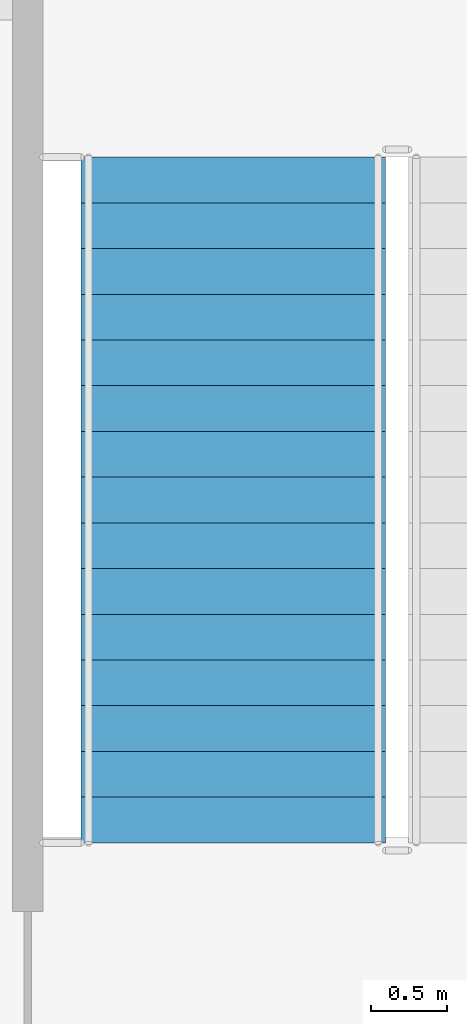
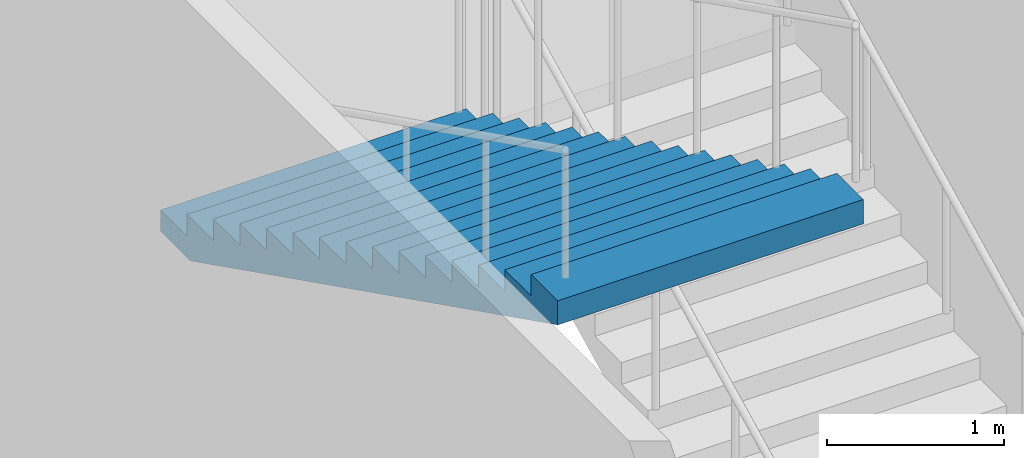
# One storey, part 62 of 91: 1 stair flight, 1 element without a shape of its own.
"""IFC4 building model written with IfcOpenShell, lengths in metres."""

from ifc_helpers import new_model, si_unit, direction, frame, origin, place, context, subcontext, project, spatial, faceted_brep, material, type_object, element, aggregate, save


model = new_model("IFC4")

# Units and contexts
model_context = context("Model", 3, precision=1e-05, world=origin(), true_north=direction((0.0, 1.0)))
body_context = subcontext(model_context, "Body", "Model", "MODEL_VIEW")
ifc_project = project(units=[si_unit("LENGTHUNIT", "METRE"), si_unit("AREAUNIT", "SQUARE_METRE"), si_unit("VOLUMEUNIT", "CUBIC_METRE"), si_unit("PLANEANGLEUNIT", "RADIAN"), si_unit("MASSUNIT", "GRAM", prefix="KILO")], contexts=[model_context])

# Site, building, storey
site_placement = place(None, origin())
site = spatial("IfcSite", under=ifc_project, at=site_placement, CompositionType="ELEMENT")
building_placement = place(site_placement, origin())
building = spatial("IfcBuilding", under=site, at=building_placement, Name="Kiln Court Media Centre", CompositionType="ELEMENT")
storey_placement = place(building_placement, frame((0.0, 0.0, 5.39990234375)))
storey = spatial("IfcBuildingStorey", under=building, at=storey_placement, Name="L01", CompositionType="ELEMENT", Elevation=5.39990234375)

# Stair, stair flight
ifc_material_1 = material(Name="Concrete C40/50", Category="concrete")
stair_type = type_object("IfcStairType", Name="Concrete C40/50 dog-leg stair 2000 wide, 150 riser", PredefinedType="HALF_TURN_STAIR", material=ifc_material_1)
stair_placement = place(storey_placement, origin())
stair = element("IfcStair", 1, at=stair_placement, inside=storey, type_object=stair_type, Name="ST-14 L01", PredefinedType="HALF_TURN_STAIR")
ifc_material_2 = material(Name="Concrete C40/50", Category="concrete")
stair_flight_type = type_object("IfcStairFlightType", Name="Concrete C40/50 stair flight 2000 wide, 150 riser, 300 going", PredefinedType="STRAIGHT", material=ifc_material_2)
stair_flight_placement = place(storey_placement, frame((164.64990234375, 40.89990234375, 2.400146484375), z_axis=(0.0, 0.0, 1.0), x_axis=(0.0, -1.0, 0.0)))
stair_flight = element("IfcStairFlight", 2, at=stair_flight_placement, type_object=stair_flight_type, Name="L01-ST-5013 flight 5027", NumberOfRisers=16, NumberOfTreads=15, PredefinedType="STRAIGHT", RiserHeight=0.15, TreadLength=0.3, context=body_context, shape_type="Brep", body=[
    faceted_brep([(0.335205078125, -1.0, 0.0), (4.5, -1.0, 2.08251953125), (4.5, -1.0, 2.25), (4.199951171875, -1.0, 2.25), (4.199951171875, -1.0, 2.10009765625), (3.89990234375, -1.0, 2.10009765625), (3.89990234375, -1.0, 1.949951171875), (3.60009765625, -1.0, 1.949951171875), (3.60009765625, -1.0, 1.800048828125), (3.300048828125, -1.0, 1.800048828125), (3.300048828125, -1.0, 1.64990234375), (3.0, -1.0, 1.64990234375), (3.0, -1.0, 1.5), (2.699951171875, -1.0, 1.5), (2.699951171875, -1.0, 1.35009765625), (2.39990234375, -1.0, 1.35009765625), (2.39990234375, -1.0, 1.199951171875), (2.10009765625, -1.0, 1.199951171875), (2.10009765625, -1.0, 1.050048828125), (1.800048828125, -1.0, 1.050048828125), (1.800048828125, -1.0, 0.89990234375), (1.5, -1.0, 0.89990234375), (1.5, -1.0, 0.75), (1.199951171875, -1.0, 0.75), (1.199951171875, -1.0, 0.60009765625), (0.89990234375, -1.0, 0.60009765625), (0.89990234375, -1.0, 0.449951171875), (0.60009765625, -1.0, 0.449951171875), (0.60009765625, -1.0, 0.300048828125), (0.300048828125, -1.0, 0.300048828125), (0.300048828125, -1.0, 0.14990234375), (0.0, -1.0, 0.14990234375), (0.0, -1.0, 0.0), (0.0, 1.0, 0.0), (0.0, 1.0, 0.14990234375), (0.300048828125, 1.0, 0.14990234375), (0.300048828125, 1.0, 0.300048828125), (0.60009765625, 1.0, 0.300048828125), (0.60009765625, 1.0, 0.449951171875), (0.89990234375, 1.0, 0.449951171875), (0.89990234375, 1.0, 0.60009765625), (1.199951171875, 1.0, 0.60009765625), (1.199951171875, 1.0, 0.75), (1.5, 1.0, 0.75), (1.5, 1.0, 0.89990234375), (1.800048828125, 1.0, 0.89990234375), (1.800048828125, 1.0, 1.050048828125), (2.10009765625, 1.0, 1.050048828125), (2.10009765625, 1.0, 1.199951171875), (2.39990234375, 1.0, 1.199951171875), (2.39990234375, 1.0, 1.35009765625), (2.699951171875, 1.0, 1.35009765625), (2.699951171875, 1.0, 1.5), (3.0, 1.0, 1.5), (3.0, 1.0, 1.64990234375), (3.300048828125, 1.0, 1.64990234375), (3.300048828125, 1.0, 1.800048828125), (3.60009765625, 1.0, 1.800048828125), (3.60009765625, 1.0, 1.949951171875), (3.89990234375, 1.0, 1.949951171875), (3.89990234375, 1.0, 2.10009765625), (4.199951171875, 1.0, 2.10009765625), (4.199951171875, 1.0, 2.25), (4.5, 1.0, 2.25), (4.5, 1.0, 2.08251953125), (0.335205078125, 1.0, 0.0), (4.5, 0.10009765625, 2.08251953125), (0.335205078125, 0.10009765625, 0.0), (4.5, 0.080078125, 2.08251953125), (0.335205078125, 0.080078125, 0.0), (4.5, 0.06005859375, 2.08251953125), (0.335205078125, 0.06005859375, 0.0), (4.5, 0.0400390625, 2.08251953125), (0.335205078125, 0.0400390625, 0.0), (4.5, 0.02001953125, 2.08251953125), (0.335205078125, 0.02001953125, 0.0), (4.5, 0.0, 2.08251953125), (0.335205078125, 0.0, 0.0), (4.5, -0.02001953125, 2.08251953125), (0.335205078125, -0.02001953125, 0.0), (4.5, -0.0400390625, 2.08251953125), (0.335205078125, -0.0400390625, 0.0), (4.5, -0.06005859375, 2.08251953125), (0.335205078125, -0.06005859375, 0.0), (4.5, -0.080078125, 2.08251953125), (0.335205078125, -0.080078125, 0.0), (4.5, -0.10009765625, 2.08251953125), (0.335205078125, -0.10009765625, 0.0), (4.5, 0.10009765625, 2.25), (4.5, 0.080078125, 2.25), (4.5, 0.06005859375, 2.25), (4.5, 0.0400390625, 2.25), (4.5, 0.02001953125, 2.25), (4.5, 0.0, 2.25), (4.5, -0.02001953125, 2.25), (4.5, -0.0400390625, 2.25), (4.5, -0.06005859375, 2.25), (4.5, -0.080078125, 2.25), (4.5, -0.10009765625, 2.25), (4.199951171875, 0.10009765625, 2.25), (4.199951171875, 0.080078125, 2.25), (4.199951171875, 0.06005859375, 2.25), (4.199951171875, 0.0400390625, 2.25), (4.199951171875, 0.02001953125, 2.25), (4.199951171875, 0.0, 2.25), (4.199951171875, -0.02001953125, 2.25), (4.199951171875, -0.0400390625, 2.25), (4.199951171875, -0.06005859375, 2.25), (4.199951171875, -0.080078125, 2.25), (4.199951171875, -0.10009765625, 2.25), (4.199951171875, 0.10009765625, 2.10009765625), (4.199951171875, 0.080078125, 2.10009765625), (4.199951171875, 0.06005859375, 2.10009765625), (4.199951171875, 0.0400390625, 2.10009765625), (4.199951171875, 0.02001953125, 2.10009765625), (4.199951171875, 0.0, 2.10009765625), (4.199951171875, -0.02001953125, 2.10009765625), (4.199951171875, -0.0400390625, 2.10009765625), (4.199951171875, -0.06005859375, 2.10009765625), (4.199951171875, -0.080078125, 2.10009765625), (4.199951171875, -0.10009765625, 2.10009765625), (3.89990234375, 0.10009765625, 2.10009765625), (3.89990234375, 0.080078125, 2.10009765625), (3.89990234375, 0.06005859375, 2.10009765625), (3.89990234375, 0.0400390625, 2.10009765625), (3.89990234375, 0.02001953125, 2.10009765625), (3.89990234375, 0.0, 2.10009765625), (3.89990234375, -0.02001953125, 2.10009765625), (3.89990234375, -0.0400390625, 2.10009765625), (3.89990234375, -0.06005859375, 2.10009765625), (3.89990234375, -0.080078125, 2.10009765625), (3.89990234375, -0.10009765625, 2.10009765625), (3.89990234375, 0.10009765625, 1.949951171875), (3.89990234375, 0.080078125, 1.949951171875), (3.89990234375, 0.06005859375, 1.949951171875), (3.89990234375, 0.0400390625, 1.949951171875), (3.89990234375, 0.02001953125, 1.949951171875), (3.89990234375, 0.0, 1.949951171875), (3.89990234375, -0.02001953125, 1.949951171875), (3.89990234375, -0.0400390625, 1.949951171875), (3.89990234375, -0.06005859375, 1.949951171875), (3.89990234375, -0.080078125, 1.949951171875), (3.89990234375, -0.10009765625, 1.949951171875), (3.60009765625, 0.10009765625, 1.949951171875), (3.60009765625, 0.080078125, 1.949951171875), (3.60009765625, 0.06005859375, 1.949951171875), (3.60009765625, 0.0400390625, 1.949951171875), (3.60009765625, 0.02001953125, 1.949951171875), (3.60009765625, 0.0, 1.949951171875), (3.60009765625, -0.02001953125, 1.949951171875), (3.60009765625, -0.0400390625, 1.949951171875), (3.60009765625, -0.06005859375, 1.949951171875), (3.60009765625, -0.080078125, 1.949951171875), (3.60009765625, -0.10009765625, 1.949951171875), (3.60009765625, 0.10009765625, 1.800048828125), (3.60009765625, 0.080078125, 1.800048828125), (3.60009765625, 0.06005859375, 1.800048828125), (3.60009765625, 0.0400390625, 1.800048828125), (3.60009765625, 0.02001953125, 1.800048828125), (3.60009765625, 0.0, 1.800048828125), (3.60009765625, -0.02001953125, 1.800048828125), (3.60009765625, -0.0400390625, 1.800048828125), (3.60009765625, -0.06005859375, 1.800048828125), (3.60009765625, -0.080078125, 1.800048828125), (3.60009765625, -0.10009765625, 1.800048828125), (3.300048828125, 0.10009765625, 1.800048828125), (3.300048828125, 0.080078125, 1.800048828125), (3.300048828125, 0.06005859375, 1.800048828125), (3.300048828125, 0.0400390625, 1.800048828125), (3.300048828125, 0.02001953125, 1.800048828125), (3.300048828125, 0.0, 1.800048828125), (3.300048828125, -0.02001953125, 1.800048828125), (3.300048828125, -0.0400390625, 1.800048828125), (3.300048828125, -0.06005859375, 1.800048828125), (3.300048828125, -0.080078125, 1.800048828125), (3.300048828125, -0.10009765625, 1.800048828125), (3.300048828125, 0.10009765625, 1.64990234375), (3.300048828125, 0.080078125, 1.64990234375), (3.300048828125, 0.06005859375, 1.64990234375), (3.300048828125, 0.0400390625, 1.64990234375), (3.300048828125, 0.02001953125, 1.64990234375), (3.300048828125, 0.0, 1.64990234375), (3.300048828125, -0.02001953125, 1.64990234375), (3.300048828125, -0.0400390625, 1.64990234375), (3.300048828125, -0.06005859375, 1.64990234375), (3.300048828125, -0.080078125, 1.64990234375), (3.300048828125, -0.10009765625, 1.64990234375), (3.0, 0.10009765625, 1.64990234375), (3.0, 0.080078125, 1.64990234375), (3.0, 0.06005859375, 1.64990234375), (3.0, 0.0400390625, 1.64990234375), (3.0, 0.02001953125, 1.64990234375), (3.0, 0.0, 1.64990234375), (3.0, -0.02001953125, 1.64990234375), (3.0, -0.0400390625, 1.64990234375), (3.0, -0.06005859375, 1.64990234375), (3.0, -0.080078125, 1.64990234375), (3.0, -0.10009765625, 1.64990234375), (3.0, 0.10009765625, 1.5), (3.0, 0.080078125, 1.5), (3.0, 0.06005859375, 1.5), (3.0, 0.0400390625, 1.5), (3.0, 0.02001953125, 1.5), (3.0, 0.0, 1.5), (3.0, -0.02001953125, 1.5), (3.0, -0.0400390625, 1.5), (3.0, -0.06005859375, 1.5), (3.0, -0.080078125, 1.5), (3.0, -0.10009765625, 1.5), (2.699951171875, 0.10009765625, 1.5), (2.699951171875, 0.080078125, 1.5), (2.699951171875, 0.06005859375, 1.5), (2.699951171875, 0.0400390625, 1.5), (2.699951171875, 0.02001953125, 1.5), (2.699951171875, 0.0, 1.5), (2.699951171875, -0.02001953125, 1.5), (2.699951171875, -0.0400390625, 1.5), (2.699951171875, -0.06005859375, 1.5), (2.699951171875, -0.080078125, 1.5), (2.699951171875, -0.10009765625, 1.5), (2.699951171875, 0.10009765625, 1.35009765625), (2.699951171875, 0.080078125, 1.35009765625), (2.699951171875, 0.06005859375, 1.35009765625), (2.699951171875, 0.0400390625, 1.35009765625), (2.699951171875, 0.02001953125, 1.35009765625), (2.699951171875, 0.0, 1.35009765625), (2.699951171875, -0.02001953125, 1.35009765625), (2.699951171875, -0.0400390625, 1.35009765625), (2.699951171875, -0.06005859375, 1.35009765625), (2.699951171875, -0.080078125, 1.35009765625), (2.699951171875, -0.10009765625, 1.35009765625), (2.39990234375, 0.10009765625, 1.35009765625), (2.39990234375, 0.080078125, 1.35009765625), (2.39990234375, 0.06005859375, 1.35009765625), (2.39990234375, 0.0400390625, 1.35009765625), (2.39990234375, 0.02001953125, 1.35009765625), (2.39990234375, 0.0, 1.35009765625), (2.39990234375, -0.02001953125, 1.35009765625), (2.39990234375, -0.0400390625, 1.35009765625), (2.39990234375, -0.06005859375, 1.35009765625), (2.39990234375, -0.080078125, 1.35009765625), (2.39990234375, -0.10009765625, 1.35009765625), (2.39990234375, 0.10009765625, 1.199951171875), (2.39990234375, 0.080078125, 1.199951171875), (2.39990234375, 0.06005859375, 1.199951171875), (2.39990234375, 0.0400390625, 1.199951171875), (2.39990234375, 0.02001953125, 1.199951171875), (2.39990234375, 0.0, 1.199951171875), (2.39990234375, -0.02001953125, 1.199951171875), (2.39990234375, -0.0400390625, 1.199951171875), (2.39990234375, -0.06005859375, 1.199951171875), (2.39990234375, -0.080078125, 1.199951171875), (2.39990234375, -0.10009765625, 1.199951171875), (2.10009765625, 0.10009765625, 1.199951171875), (2.10009765625, 0.080078125, 1.199951171875), (2.10009765625, 0.06005859375, 1.199951171875), (2.10009765625, 0.0400390625, 1.199951171875), (2.10009765625, 0.02001953125, 1.199951171875), (2.10009765625, 0.0, 1.199951171875), (2.10009765625, -0.02001953125, 1.199951171875), (2.10009765625, -0.0400390625, 1.199951171875), (2.10009765625, -0.06005859375, 1.199951171875), (2.10009765625, -0.080078125, 1.199951171875), (2.10009765625, -0.10009765625, 1.199951171875), (2.10009765625, 0.10009765625, 1.050048828125), (2.10009765625, 0.080078125, 1.050048828125), (2.10009765625, 0.06005859375, 1.050048828125), (2.10009765625, 0.0400390625, 1.050048828125), (2.10009765625, 0.02001953125, 1.050048828125), (2.10009765625, 0.0, 1.050048828125), (2.10009765625, -0.02001953125, 1.050048828125), (2.10009765625, -0.0400390625, 1.050048828125), (2.10009765625, -0.06005859375, 1.050048828125), (2.10009765625, -0.080078125, 1.050048828125), (2.10009765625, -0.10009765625, 1.050048828125), (1.800048828125, 0.10009765625, 1.050048828125), (1.800048828125, 0.080078125, 1.050048828125), (1.800048828125, 0.06005859375, 1.050048828125), (1.800048828125, 0.0400390625, 1.050048828125), (1.800048828125, 0.02001953125, 1.050048828125), (1.800048828125, 0.0, 1.050048828125), (1.800048828125, -0.02001953125, 1.050048828125), (1.800048828125, -0.0400390625, 1.050048828125), (1.800048828125, -0.06005859375, 1.050048828125), (1.800048828125, -0.080078125, 1.050048828125), (1.800048828125, -0.10009765625, 1.050048828125), (1.800048828125, 0.10009765625, 0.89990234375), (1.800048828125, 0.080078125, 0.89990234375), (1.800048828125, 0.06005859375, 0.89990234375), (1.800048828125, 0.0400390625, 0.89990234375), (1.800048828125, 0.02001953125, 0.89990234375), (1.800048828125, 0.0, 0.89990234375), (1.800048828125, -0.02001953125, 0.89990234375), (1.800048828125, -0.0400390625, 0.89990234375), (1.800048828125, -0.06005859375, 0.89990234375), (1.800048828125, -0.080078125, 0.89990234375), (1.800048828125, -0.10009765625, 0.89990234375), (1.5, 0.10009765625, 0.89990234375), (1.5, 0.080078125, 0.89990234375), (1.5, 0.06005859375, 0.89990234375), (1.5, 0.0400390625, 0.89990234375), (1.5, 0.02001953125, 0.89990234375), (1.5, 0.0, 0.89990234375), (1.5, -0.02001953125, 0.89990234375), (1.5, -0.0400390625, 0.89990234375), (1.5, -0.06005859375, 0.89990234375), (1.5, -0.080078125, 0.89990234375), (1.5, -0.10009765625, 0.89990234375), (1.5, 0.10009765625, 0.75), (1.5, 0.080078125, 0.75), (1.5, 0.06005859375, 0.75), (1.5, 0.0400390625, 0.75), (1.5, 0.02001953125, 0.75), (1.5, 0.0, 0.75), (1.5, -0.02001953125, 0.75), (1.5, -0.0400390625, 0.75), (1.5, -0.06005859375, 0.75), (1.5, -0.080078125, 0.75), (1.5, -0.10009765625, 0.75), (1.199951171875, 0.10009765625, 0.75), (1.199951171875, 0.080078125, 0.75), (1.199951171875, 0.06005859375, 0.75), (1.199951171875, 0.0400390625, 0.75), (1.199951171875, 0.02001953125, 0.75), (1.199951171875, 0.0, 0.75), (1.199951171875, -0.02001953125, 0.75), (1.199951171875, -0.0400390625, 0.75), (1.199951171875, -0.06005859375, 0.75), (1.199951171875, -0.080078125, 0.75), (1.199951171875, -0.10009765625, 0.75), (1.199951171875, 0.10009765625, 0.60009765625), (1.199951171875, 0.080078125, 0.60009765625), (1.199951171875, 0.06005859375, 0.60009765625), (1.199951171875, 0.0400390625, 0.60009765625), (1.199951171875, 0.02001953125, 0.60009765625), (1.199951171875, 0.0, 0.60009765625), (1.199951171875, -0.02001953125, 0.60009765625), (1.199951171875, -0.0400390625, 0.60009765625), (1.199951171875, -0.06005859375, 0.60009765625), (1.199951171875, -0.080078125, 0.60009765625), (1.199951171875, -0.10009765625, 0.60009765625), (0.89990234375, 0.10009765625, 0.60009765625), (0.89990234375, 0.080078125, 0.60009765625), (0.89990234375, 0.06005859375, 0.60009765625), (0.89990234375, 0.0400390625, 0.60009765625), (0.89990234375, 0.02001953125, 0.60009765625), (0.89990234375, 0.0, 0.60009765625), (0.89990234375, -0.02001953125, 0.60009765625), (0.89990234375, -0.0400390625, 0.60009765625), (0.89990234375, -0.06005859375, 0.60009765625), (0.89990234375, -0.080078125, 0.60009765625), (0.89990234375, -0.10009765625, 0.60009765625), (0.89990234375, 0.10009765625, 0.449951171875), (0.89990234375, 0.080078125, 0.449951171875), (0.89990234375, 0.06005859375, 0.449951171875), (0.89990234375, 0.0400390625, 0.449951171875), (0.89990234375, 0.02001953125, 0.449951171875), (0.89990234375, 0.0, 0.449951171875), (0.89990234375, -0.02001953125, 0.449951171875), (0.89990234375, -0.0400390625, 0.449951171875), (0.89990234375, -0.06005859375, 0.449951171875), (0.89990234375, -0.080078125, 0.449951171875), (0.89990234375, -0.10009765625, 0.449951171875), (0.60009765625, 0.10009765625, 0.449951171875), (0.60009765625, 0.080078125, 0.449951171875), (0.60009765625, 0.06005859375, 0.449951171875), (0.60009765625, 0.0400390625, 0.449951171875), (0.60009765625, 0.02001953125, 0.449951171875), (0.60009765625, 0.0, 0.449951171875), (0.60009765625, -0.02001953125, 0.449951171875), (0.60009765625, -0.0400390625, 0.449951171875), (0.60009765625, -0.06005859375, 0.449951171875), (0.60009765625, -0.080078125, 0.449951171875), (0.60009765625, -0.10009765625, 0.449951171875), (0.60009765625, 0.10009765625, 0.300048828125), (0.60009765625, 0.080078125, 0.300048828125), (0.60009765625, 0.06005859375, 0.300048828125), (0.60009765625, 0.0400390625, 0.300048828125), (0.60009765625, 0.02001953125, 0.300048828125), (0.60009765625, 0.0, 0.300048828125), (0.60009765625, -0.02001953125, 0.300048828125), (0.60009765625, -0.0400390625, 0.300048828125), (0.60009765625, -0.06005859375, 0.300048828125), (0.60009765625, -0.080078125, 0.300048828125), (0.60009765625, -0.10009765625, 0.300048828125), (0.300048828125, 0.10009765625, 0.300048828125), (0.300048828125, 0.080078125, 0.300048828125), (0.300048828125, 0.06005859375, 0.300048828125), (0.300048828125, 0.0400390625, 0.300048828125), (0.300048828125, 0.02001953125, 0.300048828125), (0.300048828125, 0.0, 0.300048828125), (0.300048828125, -0.02001953125, 0.300048828125), (0.300048828125, -0.0400390625, 0.300048828125), (0.300048828125, -0.06005859375, 0.300048828125), (0.300048828125, -0.080078125, 0.300048828125), (0.300048828125, -0.10009765625, 0.300048828125), (0.300048828125, 0.10009765625, 0.14990234375), (0.300048828125, 0.080078125, 0.14990234375), (0.300048828125, 0.06005859375, 0.14990234375), (0.300048828125, 0.0400390625, 0.14990234375), (0.300048828125, 0.02001953125, 0.14990234375), (0.300048828125, 0.0, 0.14990234375), (0.300048828125, -0.02001953125, 0.14990234375), (0.300048828125, -0.0400390625, 0.14990234375), (0.300048828125, -0.06005859375, 0.14990234375), (0.300048828125, -0.080078125, 0.14990234375), (0.300048828125, -0.10009765625, 0.14990234375), (0.0, 0.10009765625, 0.14990234375), (0.0, 0.080078125, 0.14990234375), (0.0, 0.06005859375, 0.14990234375), (0.0, 0.0400390625, 0.14990234375), (0.0, 0.02001953125, 0.14990234375), (0.0, 0.0, 0.14990234375), (0.0, -0.02001953125, 0.14990234375), (0.0, -0.0400390625, 0.14990234375), (0.0, -0.06005859375, 0.14990234375), (0.0, -0.080078125, 0.14990234375), (0.0, -0.10009765625, 0.14990234375), (0.0, 0.10009765625, 0.0), (0.0, 0.080078125, 0.0), (0.0, 0.06005859375, 0.0), (0.0, 0.0400390625, 0.0), (0.0, 0.02001953125, 0.0), (0.0, 0.0, 0.0), (0.0, -0.02001953125, 0.0), (0.0, -0.0400390625, 0.0), (0.0, -0.06005859375, 0.0), (0.0, -0.080078125, 0.0), (0.0, -0.10009765625, 0.0)], [[[0, 1, 2, 3, 4, 5, 6, 7, 8, 9, 10, 11, 12, 13, 14, 15, 16, 17, 18, 19, 20, 21, 22, 23, 24, 25, 26, 27, 28, 29, 30, 31, 32]], [[33, 34, 35, 36, 37, 38, 39, 40, 41, 42, 43, 44, 45, 46, 47, 48, 49, 50, 51, 52, 53, 54, 55, 56, 57, 58, 59, 60, 61, 62, 63, 64, 65]], [[65, 64, 66, 67]], [[67, 66, 68, 69]], [[69, 68, 70, 71]], [[71, 70, 72, 73]], [[73, 72, 74, 75]], [[75, 74, 76, 77]], [[77, 76, 78, 79]], [[79, 78, 80, 81]], [[81, 80, 82, 83]], [[83, 82, 84, 85]], [[85, 84, 86, 87]], [[87, 86, 1, 0]], [[64, 63, 88, 66]], [[66, 88, 89, 68]], [[68, 89, 90, 70]], [[70, 90, 91, 72]], [[72, 91, 92, 74]], [[74, 92, 93, 76]], [[76, 93, 94, 78]], [[78, 94, 95, 80]], [[80, 95, 96, 82]], [[82, 96, 97, 84]], [[84, 97, 98, 86]], [[86, 98, 2, 1]], [[63, 62, 99, 88]], [[88, 99, 100, 89]], [[89, 100, 101, 90]], [[90, 101, 102, 91]], [[91, 102, 103, 92]], [[92, 103, 104, 93]], [[93, 104, 105, 94]], [[94, 105, 106, 95]], [[95, 106, 107, 96]], [[96, 107, 108, 97]], [[97, 108, 109, 98]], [[98, 109, 3, 2]], [[62, 61, 110, 99]], [[99, 110, 111, 100]], [[100, 111, 112, 101]], [[101, 112, 113, 102]], [[102, 113, 114, 103]], [[103, 114, 115, 104]], [[104, 115, 116, 105]], [[105, 116, 117, 106]], [[106, 117, 118, 107]], [[107, 118, 119, 108]], [[108, 119, 120, 109]], [[109, 120, 4, 3]], [[61, 60, 121, 110]], [[110, 121, 122, 111]], [[111, 122, 123, 112]], [[112, 123, 124, 113]], [[113, 124, 125, 114]], [[114, 125, 126, 115]], [[115, 126, 127, 116]], [[116, 127, 128, 117]], [[117, 128, 129, 118]], [[118, 129, 130, 119]], [[119, 130, 131, 120]], [[120, 131, 5, 4]], [[60, 59, 132, 121]], [[121, 132, 133, 122]], [[122, 133, 134, 123]], [[123, 134, 135, 124]], [[124, 135, 136, 125]], [[125, 136, 137, 126]], [[126, 137, 138, 127]], [[127, 138, 139, 128]], [[128, 139, 140, 129]], [[129, 140, 141, 130]], [[130, 141, 142, 131]], [[131, 142, 6, 5]], [[59, 58, 143, 132]], [[132, 143, 144, 133]], [[133, 144, 145, 134]], [[134, 145, 146, 135]], [[135, 146, 147, 136]], [[136, 147, 148, 137]], [[137, 148, 149, 138]], [[138, 149, 150, 139]], [[139, 150, 151, 140]], [[140, 151, 152, 141]], [[141, 152, 153, 142]], [[142, 153, 7, 6]], [[58, 57, 154, 143]], [[143, 154, 155, 144]], [[144, 155, 156, 145]], [[145, 156, 157, 146]], [[146, 157, 158, 147]], [[147, 158, 159, 148]], [[148, 159, 160, 149]], [[149, 160, 161, 150]], [[150, 161, 162, 151]], [[151, 162, 163, 152]], [[152, 163, 164, 153]], [[153, 164, 8, 7]], [[57, 56, 165, 154]], [[154, 165, 166, 155]], [[155, 166, 167, 156]], [[156, 167, 168, 157]], [[157, 168, 169, 158]], [[158, 169, 170, 159]], [[159, 170, 171, 160]], [[160, 171, 172, 161]], [[161, 172, 173, 162]], [[162, 173, 174, 163]], [[163, 174, 175, 164]], [[164, 175, 9, 8]], [[56, 55, 176, 165]], [[165, 176, 177, 166]], [[166, 177, 178, 167]], [[167, 178, 179, 168]], [[168, 179, 180, 169]], [[169, 180, 181, 170]], [[170, 181, 182, 171]], [[171, 182, 183, 172]], [[172, 183, 184, 173]], [[173, 184, 185, 174]], [[174, 185, 186, 175]], [[175, 186, 10, 9]], [[55, 54, 187, 176]], [[176, 187, 188, 177]], [[177, 188, 189, 178]], [[178, 189, 190, 179]], [[179, 190, 191, 180]], [[180, 191, 192, 181]], [[181, 192, 193, 182]], [[182, 193, 194, 183]], [[183, 194, 195, 184]], [[184, 195, 196, 185]], [[185, 196, 197, 186]], [[186, 197, 11, 10]], [[54, 53, 198, 187]], [[187, 198, 199, 188]], [[188, 199, 200, 189]], [[189, 200, 201, 190]], [[190, 201, 202, 191]], [[191, 202, 203, 192]], [[192, 203, 204, 193]], [[193, 204, 205, 194]], [[194, 205, 206, 195]], [[195, 206, 207, 196]], [[196, 207, 208, 197]], [[197, 208, 12, 11]], [[53, 52, 209, 198]], [[198, 209, 210, 199]], [[199, 210, 211, 200]], [[200, 211, 212, 201]], [[201, 212, 213, 202]], [[202, 213, 214, 203]], [[203, 214, 215, 204]], [[204, 215, 216, 205]], [[205, 216, 217, 206]], [[206, 217, 218, 207]], [[207, 218, 219, 208]], [[208, 219, 13, 12]], [[52, 51, 220, 209]], [[209, 220, 221, 210]], [[210, 221, 222, 211]], [[211, 222, 223, 212]], [[212, 223, 224, 213]], [[213, 224, 225, 214]], [[214, 225, 226, 215]], [[215, 226, 227, 216]], [[216, 227, 228, 217]], [[217, 228, 229, 218]], [[218, 229, 230, 219]], [[219, 230, 14, 13]], [[51, 50, 231, 220]], [[220, 231, 232, 221]], [[221, 232, 233, 222]], [[222, 233, 234, 223]], [[223, 234, 235, 224]], [[224, 235, 236, 225]], [[225, 236, 237, 226]], [[226, 237, 238, 227]], [[227, 238, 239, 228]], [[228, 239, 240, 229]], [[229, 240, 241, 230]], [[230, 241, 15, 14]], [[50, 49, 242, 231]], [[231, 242, 243, 232]], [[232, 243, 244, 233]], [[233, 244, 245, 234]], [[234, 245, 246, 235]], [[235, 246, 247, 236]], [[236, 247, 248, 237]], [[237, 248, 249, 238]], [[238, 249, 250, 239]], [[239, 250, 251, 240]], [[240, 251, 252, 241]], [[241, 252, 16, 15]], [[49, 48, 253, 242]], [[242, 253, 254, 243]], [[243, 254, 255, 244]], [[244, 255, 256, 245]], [[245, 256, 257, 246]], [[246, 257, 258, 247]], [[247, 258, 259, 248]], [[248, 259, 260, 249]], [[249, 260, 261, 250]], [[250, 261, 262, 251]], [[251, 262, 263, 252]], [[252, 263, 17, 16]], [[48, 47, 264, 253]], [[253, 264, 265, 254]], [[254, 265, 266, 255]], [[255, 266, 267, 256]], [[256, 267, 268, 257]], [[257, 268, 269, 258]], [[258, 269, 270, 259]], [[259, 270, 271, 260]], [[260, 271, 272, 261]], [[261, 272, 273, 262]], [[262, 273, 274, 263]], [[263, 274, 18, 17]], [[47, 46, 275, 264]], [[264, 275, 276, 265]], [[265, 276, 277, 266]], [[266, 277, 278, 267]], [[267, 278, 279, 268]], [[268, 279, 280, 269]], [[269, 280, 281, 270]], [[270, 281, 282, 271]], [[271, 282, 283, 272]], [[272, 283, 284, 273]], [[273, 284, 285, 274]], [[274, 285, 19, 18]], [[46, 45, 286, 275]], [[275, 286, 287, 276]], [[276, 287, 288, 277]], [[277, 288, 289, 278]], [[278, 289, 290, 279]], [[279, 290, 291, 280]], [[280, 291, 292, 281]], [[281, 292, 293, 282]], [[282, 293, 294, 283]], [[283, 294, 295, 284]], [[284, 295, 296, 285]], [[285, 296, 20, 19]], [[45, 44, 297, 286]], [[286, 297, 298, 287]], [[287, 298, 299, 288]], [[288, 299, 300, 289]], [[289, 300, 301, 290]], [[290, 301, 302, 291]], [[291, 302, 303, 292]], [[292, 303, 304, 293]], [[293, 304, 305, 294]], [[294, 305, 306, 295]], [[295, 306, 307, 296]], [[296, 307, 21, 20]], [[44, 43, 308, 297]], [[297, 308, 309, 298]], [[298, 309, 310, 299]], [[299, 310, 311, 300]], [[300, 311, 312, 301]], [[301, 312, 313, 302]], [[302, 313, 314, 303]], [[303, 314, 315, 304]], [[304, 315, 316, 305]], [[305, 316, 317, 306]], [[306, 317, 318, 307]], [[307, 318, 22, 21]], [[43, 42, 319, 308]], [[308, 319, 320, 309]], [[309, 320, 321, 310]], [[310, 321, 322, 311]], [[311, 322, 323, 312]], [[312, 323, 324, 313]], [[313, 324, 325, 314]], [[314, 325, 326, 315]], [[315, 326, 327, 316]], [[316, 327, 328, 317]], [[317, 328, 329, 318]], [[318, 329, 23, 22]], [[42, 41, 330, 319]], [[319, 330, 331, 320]], [[320, 331, 332, 321]], [[321, 332, 333, 322]], [[322, 333, 334, 323]], [[323, 334, 335, 324]], [[324, 335, 336, 325]], [[325, 336, 337, 326]], [[326, 337, 338, 327]], [[327, 338, 339, 328]], [[328, 339, 340, 329]], [[329, 340, 24, 23]], [[41, 40, 341, 330]], [[330, 341, 342, 331]], [[331, 342, 343, 332]], [[332, 343, 344, 333]], [[333, 344, 345, 334]], [[334, 345, 346, 335]], [[335, 346, 347, 336]], [[336, 347, 348, 337]], [[337, 348, 349, 338]], [[338, 349, 350, 339]], [[339, 350, 351, 340]], [[340, 351, 25, 24]], [[40, 39, 352, 341]], [[341, 352, 353, 342]], [[342, 353, 354, 343]], [[343, 354, 355, 344]], [[344, 355, 356, 345]], [[345, 356, 357, 346]], [[346, 357, 358, 347]], [[347, 358, 359, 348]], [[348, 359, 360, 349]], [[349, 360, 361, 350]], [[350, 361, 362, 351]], [[351, 362, 26, 25]], [[39, 38, 363, 352]], [[352, 363, 364, 353]], [[353, 364, 365, 354]], [[354, 365, 366, 355]], [[355, 366, 367, 356]], [[356, 367, 368, 357]], [[357, 368, 369, 358]], [[358, 369, 370, 359]], [[359, 370, 371, 360]], [[360, 371, 372, 361]], [[361, 372, 373, 362]], [[362, 373, 27, 26]], [[38, 37, 374, 363]], [[363, 374, 375, 364]], [[364, 375, 376, 365]], [[365, 376, 377, 366]], [[366, 377, 378, 367]], [[367, 378, 379, 368]], [[368, 379, 380, 369]], [[369, 380, 381, 370]], [[370, 381, 382, 371]], [[371, 382, 383, 372]], [[372, 383, 384, 373]], [[373, 384, 28, 27]], [[37, 36, 385, 374]], [[374, 385, 386, 375]], [[375, 386, 387, 376]], [[376, 387, 388, 377]], [[377, 388, 389, 378]], [[378, 389, 390, 379]], [[379, 390, 391, 380]], [[380, 391, 392, 381]], [[381, 392, 393, 382]], [[382, 393, 394, 383]], [[383, 394, 395, 384]], [[384, 395, 29, 28]], [[36, 35, 396, 385]], [[385, 396, 397, 386]], [[386, 397, 398, 387]], [[387, 398, 399, 388]], [[388, 399, 400, 389]], [[389, 400, 401, 390]], [[390, 401, 402, 391]], [[391, 402, 403, 392]], [[392, 403, 404, 393]], [[393, 404, 405, 394]], [[394, 405, 406, 395]], [[395, 406, 30, 29]], [[35, 34, 407, 396]], [[396, 407, 408, 397]], [[397, 408, 409, 398]], [[398, 409, 410, 399]], [[399, 410, 411, 400]], [[400, 411, 412, 401]], [[401, 412, 413, 402]], [[402, 413, 414, 403]], [[403, 414, 415, 404]], [[404, 415, 416, 405]], [[405, 416, 417, 406]], [[406, 417, 31, 30]], [[34, 33, 418, 407]], [[407, 418, 419, 408]], [[408, 419, 420, 409]], [[409, 420, 421, 410]], [[410, 421, 422, 411]], [[411, 422, 423, 412]], [[412, 423, 424, 413]], [[413, 424, 425, 414]], [[414, 425, 426, 415]], [[415, 426, 427, 416]], [[416, 427, 428, 417]], [[417, 428, 32, 31]], [[33, 65, 67, 418]], [[418, 67, 69, 419]], [[419, 69, 71, 420]], [[420, 71, 73, 421]], [[421, 73, 75, 422]], [[422, 75, 77, 423]], [[423, 77, 79, 424]], [[424, 79, 81, 425]], [[425, 81, 83, 426]], [[426, 83, 85, 427]], [[427, 85, 87, 428]], [[428, 87, 0, 32]]]),
])
aggregate(stair, [stair_flight])

save(model, "model.ifc")
